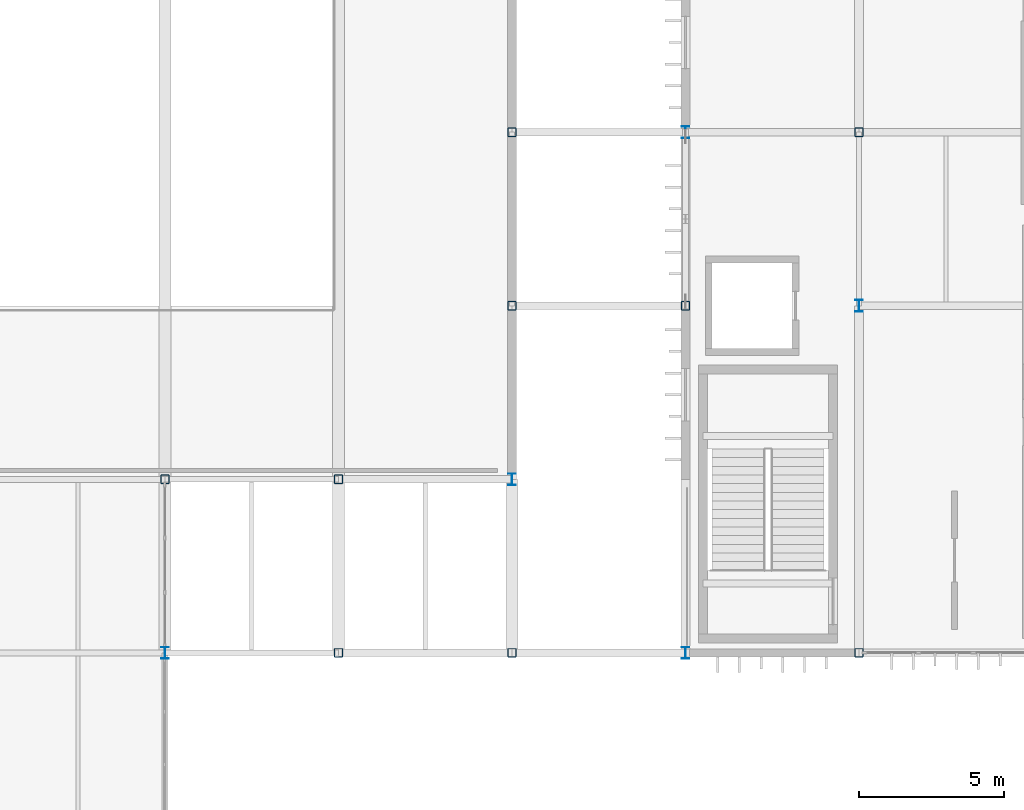
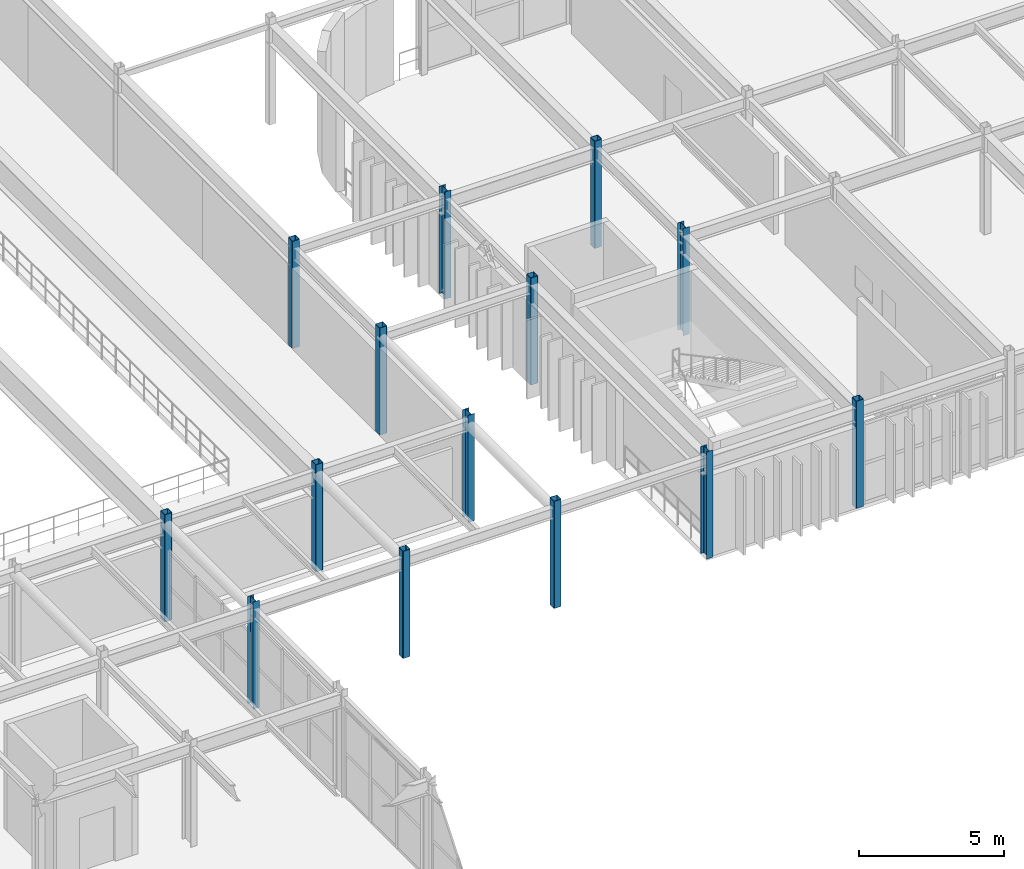
# One storey, part 12 of 96: 14 columns.
"""IFC4 building model written with IfcOpenShell, lengths in metres."""

from ifc_helpers import new_model, si_unit, direction, frame, origin, origin_2d, place, context, subcontext, project, spatial, hollow_rectangle, i_section, extrude, material, material_profile, profile_set, type_object, element, save


model = new_model("IFC4")

# Units and contexts
model_context = context("Model", 3, precision=1e-05, world=origin(), true_north=direction((0.0, 1.0)))
body_context = subcontext(model_context, "Body", "Model", "MODEL_VIEW")
ifc_project = project(units=[si_unit("LENGTHUNIT", "METRE"), si_unit("AREAUNIT", "SQUARE_METRE"), si_unit("VOLUMEUNIT", "CUBIC_METRE"), si_unit("PLANEANGLEUNIT", "RADIAN"), si_unit("MASSUNIT", "GRAM", prefix="KILO")], contexts=[model_context])

# Site, building, storey
site_placement = place(None, origin())
site = spatial("IfcSite", under=ifc_project, at=site_placement, CompositionType="ELEMENT")
building_placement = place(site_placement, origin())
building = spatial("IfcBuilding", under=site, at=building_placement, Name="Varnakota Square Police Headquarters", CompositionType="ELEMENT")
storey_placement = place(building_placement, frame((0.0, 0.0, 4.800048828125)))
storey = spatial("IfcBuildingStorey", under=building, at=storey_placement, Name="L01", CompositionType="ELEMENT", Elevation=4.800048828125)

# Columns
ifc_material = material(Name="Steel IS 2062 Grade 350", Category="steel")
ifc_material_profile_1 = material_profile(ifc_material, i_section(OverallWidth=0.25, OverallDepth=0.39990234375, WebThickness=0.010498046875, FlangeThickness=0.0126953125, FilletRadius=0.013916015625, at=origin_2d()), Name="ISHB 400")
ifc_profile_set_1 = profile_set([ifc_material_profile_1], Name="Steel IS 2062 Grade 350")
column_type_1 = type_object("IfcColumnType", Name="COL-ISHB400", PredefinedType="COLUMN", material=ifc_profile_set_1)
for number, where, z_axis, x_axis, name in (
    (1, (42.0, 69.0, 0.0), (0.0, 0.0, 1.0), (1.0, 0.0, 0.0), "Column X0420-Y0690 L01"),
    (2, (54.0, 75.0, 0.0), (0.0, 0.0, 1.0), (1.0, 0.0, 0.0), "Column X0540-Y0750 L01"),
    (3, (60.0, 69.0, 0.0), (0.0, 0.0, 1.0), (1.0, 0.0, 0.0), "Column X0600-Y0690 L01"),
    (4, (60.0, 87.0, 0.0), (0.0, 0.0, 1.0), (1.0, 0.0, 0.0), "Column X0600-Y0870 L01"),
    (5, (66.0, 81.0, 0.0), (0.0, 0.0, 1.0), (1.0, 0.0, 0.0), "Column X0660-Y0810 L01"),
):
    element("IfcColumn", number, at=place(storey_placement, frame(where, z_axis=z_axis, x_axis=x_axis)), inside=storey, type_object=column_type_1, Name=name, PredefinedType="COLUMN", context=body_context, shape_type="SweptSolid", body=[
        extrude(i_section(OverallWidth=0.25, OverallDepth=0.39990234375, WebThickness=0.010498046875, FlangeThickness=0.0126953125, FilletRadius=0.013916015625, at=origin_2d()), origin(), (0.0, 0.0, 1.0), 4.5),
    ])
ifc_material_profile_2 = material_profile(ifc_material, hollow_rectangle(XDim=0.300048828125, YDim=0.300048828125, WallThickness=0.01611328125, InnerFilletRadius=0.01611328125, OuterFilletRadius=0.031982421875, at=origin_2d()), Name="SHS 300x300x16")
ifc_profile_set_2 = profile_set([ifc_material_profile_2], Name="Steel IS 2062 Grade 350")
column_type_2 = type_object("IfcColumnType", Name="COL-SHS300", PredefinedType="COLUMN", material=ifc_profile_set_2)
for number, where, z_axis, x_axis, name in (
    (6, (42.0, 75.0, 0.0), (0.0, 0.0, 1.0), (1.0, 0.0, 0.0), "Column X0420-Y0750 L01"),
    (7, (48.0, 69.0, 0.0), (0.0, 0.0, 1.0), (1.0, 0.0, 0.0), "Column X0480-Y0690 L01"),
    (8, (48.0, 75.0, 0.0), (0.0, 0.0, 1.0), (1.0, 0.0, 0.0), "Column X0480-Y0750 L01"),
    (9, (54.0, 69.0, 0.0), (0.0, 0.0, 1.0), (1.0, 0.0, 0.0), "Column X0540-Y0690 L01"),
    (10, (54.0, 81.0, 0.0), (0.0, 0.0, 1.0), (1.0, 0.0, 0.0), "Column X0540-Y0810 L01"),
    (11, (54.0, 87.0, 0.0), (0.0, 0.0, 1.0), (1.0, 0.0, 0.0), "Column X0540-Y0870 L01"),
    (12, (60.0, 81.0, 0.0), (0.0, 0.0, 1.0), (1.0, 0.0, 0.0), "Column X0600-Y0810 L01"),
    (13, (66.0, 69.0, 0.0), (0.0, 0.0, 1.0), (1.0, 0.0, 0.0), "Column X0660-Y0690 L01"),
    (14, (66.0, 87.0, 0.0), (0.0, 0.0, 1.0), (1.0, 0.0, 0.0), "Column X0660-Y0870 L01"),
):
    element("IfcColumn", number, at=place(storey_placement, frame(where, z_axis=z_axis, x_axis=x_axis)), inside=storey, type_object=column_type_2, Name=name, PredefinedType="COLUMN", context=body_context, shape_type="SweptSolid", body=[
        extrude(hollow_rectangle(XDim=0.300048828125, YDim=0.300048828125, WallThickness=0.01611328125, InnerFilletRadius=0.01611328125, OuterFilletRadius=0.031982421875, at=origin_2d()), origin(), (0.0, 0.0, 1.0), 4.5),
    ])

save(model, "model.ifc")
